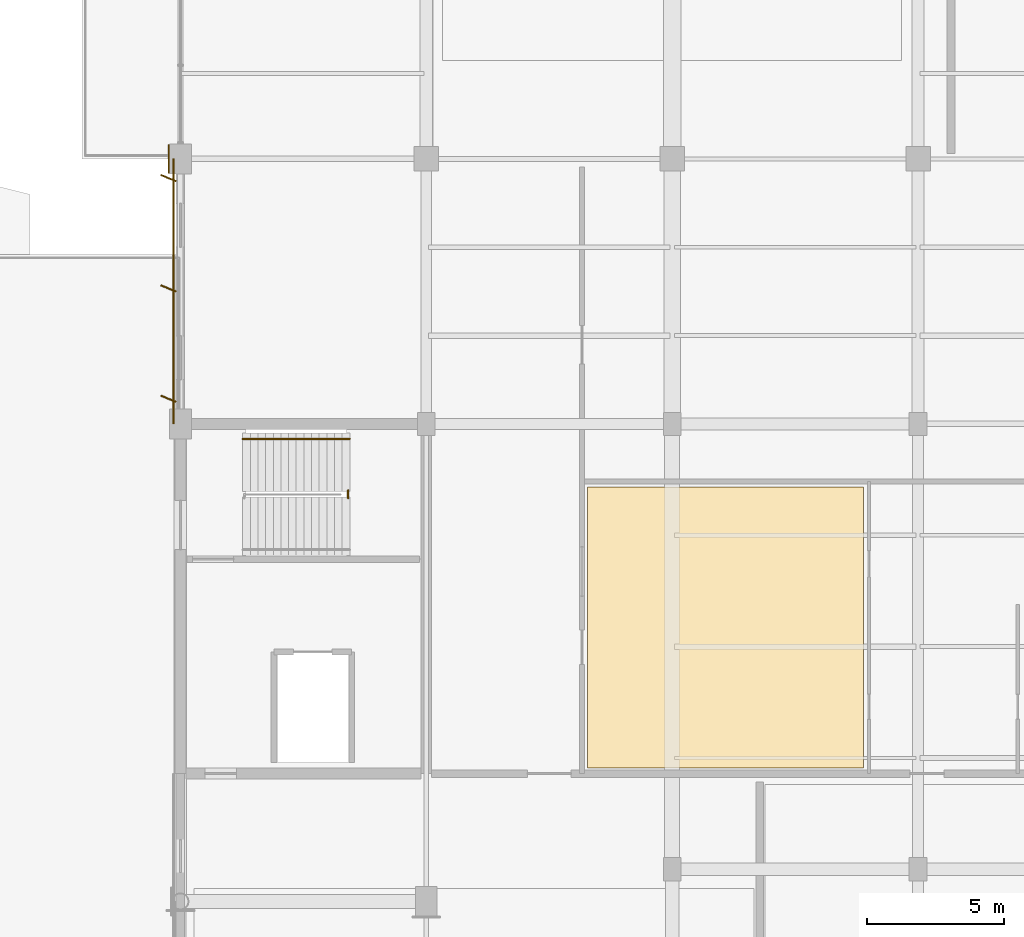
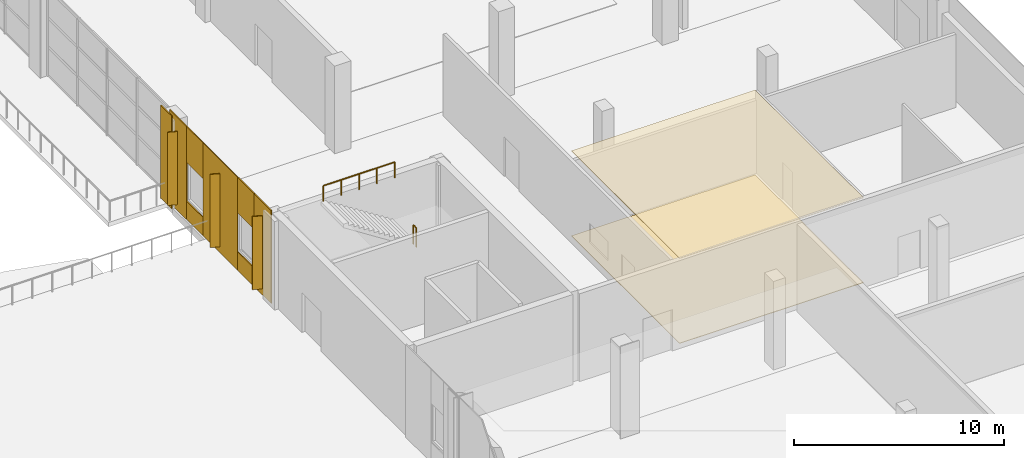
# One storey, part 85 of 90: 13 coverings, 2 railings.
"""IFC4 building model written with IfcOpenShell, lengths in metres."""

from ifc_helpers import new_model, si_unit, direction, frame, origin, origin_2d, place, context, subcontext, project, spatial, polyline, rectangle, circle, outline, extrude, material, layer, layer_set, type_object, element, save


model = new_model("IFC4")

# Units and contexts
model_context = context("Model", 3, precision=1e-05, world=origin(), true_north=direction((0.0, 1.0)))
body_context = subcontext(model_context, "Body", "Model", "MODEL_VIEW")
ifc_project = project(units=[si_unit("LENGTHUNIT", "METRE"), si_unit("AREAUNIT", "SQUARE_METRE"), si_unit("VOLUMEUNIT", "CUBIC_METRE"), si_unit("PLANEANGLEUNIT", "RADIAN"), si_unit("MASSUNIT", "GRAM", prefix="KILO")], contexts=[model_context])

# Site, building, storey
site_placement = place(None, origin())
site = spatial("IfcSite", under=ifc_project, at=site_placement, CompositionType="ELEMENT")
building_placement = place(site_placement, origin())
building = spatial("IfcBuilding", under=site, at=building_placement, Name="Solvikara Media Centre", CompositionType="ELEMENT")
storey_placement = place(building_placement, origin())
storey = spatial("IfcBuildingStorey", under=building, at=storey_placement, Name="L00", CompositionType="ELEMENT", Elevation=0.0)

# Coverings
ifc_material_1 = material(Name="Perforated acoustic gypsum ceiling board")
ifc_layer_1 = layer(ifc_material_1, 0.0400390625)
ifc_layer_set_1 = layer_set([ifc_layer_1], Name="Perforated acoustic gypsum ceiling board")
covering_type_1 = type_object("IfcCoveringType", Name="CV-01", PredefinedType="CEILING", material=ifc_layer_set_1)
covering_1_placement = place(storey_placement, frame((0.0, 0.0, 4.929931640625)))
element("IfcCovering", 1, at=covering_1_placement, inside=storey, type_object=covering_type_1, Name="CLG-013", PredefinedType="CEILING", context=body_context, shape_type="SweptSolid", body=[
    extrude(outline(polyline([(142.39990234375, 24.199951171875), (152.5, 24.199951171875), (152.5, 34.5), (142.39990234375, 34.5), (142.39990234375, 24.199951171875)])), origin(), (0.0, 0.0, 1.0), 0.0400390625),
])
ifc_material_2 = material(Name="Polished terrazzo floor finish")
ifc_layer_2 = layer(ifc_material_2, 0.030029296875)
ifc_layer_set_2 = layer_set([ifc_layer_2], Name="Polished terrazzo floor finish")
covering_type_2 = type_object("IfcCoveringType", Name="CV-02", PredefinedType="FLOORING", material=ifc_layer_set_2)
covering_2_placement = place(storey_placement, origin())
element("IfcCovering", 2, at=covering_2_placement, inside=storey, type_object=covering_type_2, Name="FLR-013", PredefinedType="FLOORING", context=body_context, shape_type="SweptSolid", body=[
    extrude(outline(polyline([(142.39990234375, 24.199951171875), (152.5, 24.199951171875), (152.5, 34.5), (142.39990234375, 34.5), (142.39990234375, 24.199951171875)])), origin(), (0.0, 0.0, 1.0), 0.030029296875),
])
ifc_material_3 = material(Name="GFRC white mineral architectural rainscreen panel")
ifc_layer_3 = layer(ifc_material_3, 0.050048828125)
ifc_layer_set_3 = layer_set([ifc_layer_3], Name="GFRC white mineral architectural rainscreen panel")
covering_type_3 = type_object("IfcCoveringType", Name="CV-04", PredefinedType="CLADDING", material=ifc_layer_set_3)
covering_3_placement = place(storey_placement, frame((127.074951171875, 46.5, 0.0), z_axis=(0.0, 0.0, 1.0), x_axis=(0.0, -1.0, 0.0)))
element("IfcCovering", 3, at=covering_3_placement, inside=storey, type_object=covering_type_3, Name="PIL-L00-194", PredefinedType="CLADDING", context=body_context, shape_type="SweptSolid", body=[
    extrude(rectangle(XDim=1.0400390625, YDim=0.050048828125, at=origin_2d()), origin(), (0.0, 0.0, 1.0), 5.39990234375),
])
covering_4_placement = place(storey_placement, frame((127.2548828125, 37.612060546875, 0.0), z_axis=(0.0, 0.0, 1.0), x_axis=(0.0, 1.0, 0.0)))
element("IfcCovering", 4, at=covering_4_placement, inside=storey, type_object=covering_type_3, Name="L00-V5WN-CV-F01", PredefinedType="CLADDING", context=body_context, shape_type="SweptSolid", body=[
    extrude(rectangle(XDim=1.625, YDim=0.050048828125, at=origin_2d()), origin(), (0.0, 0.0, 1.0), 5.39990234375),
])
covering_5_placement = place(storey_placement, frame((127.06494140625, 37.721923828125, 0.35009765625), z_axis=(0.0, 0.0, 1.0), x_axis=(-0.930749810713, 0.3656566557, 0.0)))
element("IfcCovering", 5, at=covering_5_placement, inside=storey, type_object=covering_type_3, Name="L00-V5WN-FIN-01", PredefinedType="CLADDING", context=body_context, shape_type="SweptSolid", body=[
    extrude(rectangle(XDim=0.60205078125, YDim=0.050048828125, at=origin_2d()), origin(), (0.0, 0.0, 1.0), 4.248046875),
])
covering_6_placement = place(storey_placement, frame((127.2548828125, 39.22509765625, 0.0), z_axis=(0.0, 0.0, 1.0), x_axis=(0.0, 1.0, 0.0)))
element("IfcCovering", 6, at=covering_6_placement, inside=storey, type_object=covering_type_3, Name="L00-V5WN-CV-S02", PredefinedType="CLADDING", context=body_context, shape_type="SweptSolid", body=[
    extrude(rectangle(XDim=1.60009765625, YDim=0.050048828125, at=origin_2d()), origin(), (0.0, 0.0, 1.0), 1.070068359375),
])
covering_7_placement = place(storey_placement, frame((127.2548828125, 39.22509765625, 3.330078125), z_axis=(0.0, 0.0, 1.0), x_axis=(0.0, 1.0, 0.0)))
element("IfcCovering", 7, at=covering_7_placement, inside=storey, type_object=covering_type_3, Name="L00-V5WN-CV-H02", PredefinedType="CLADDING", context=body_context, shape_type="SweptSolid", body=[
    extrude(rectangle(XDim=1.60009765625, YDim=0.050048828125, at=origin_2d()), origin(), (0.0, 0.0, 1.0), 2.070068359375),
])
covering_8_placement = place(storey_placement, frame((127.2548828125, 41.64990234375, 0.0), z_axis=(0.0, 0.0, 1.0), x_axis=(0.0, 1.0, 0.0)))
element("IfcCovering", 8, at=covering_8_placement, inside=storey, type_object=covering_type_3, Name="L00-V5WN-CV-F03", PredefinedType="CLADDING", context=body_context, shape_type="SweptSolid", body=[
    extrude(rectangle(XDim=3.25, YDim=0.050048828125, at=origin_2d()), origin(), (0.0, 0.0, 1.0), 5.39990234375),
])
covering_9_placement = place(storey_placement, frame((127.06494140625, 41.760009765625, 0.35009765625), z_axis=(0.0, 0.0, 1.0), x_axis=(-0.930749810713, 0.3656566557, 0.0)))
element("IfcCovering", 9, at=covering_9_placement, inside=storey, type_object=covering_type_3, Name="L00-V5WN-FIN-03", PredefinedType="CLADDING", context=body_context, shape_type="SweptSolid", body=[
    extrude(rectangle(XDim=0.60205078125, YDim=0.050048828125, at=origin_2d()), origin(), (0.0, 0.0, 1.0), 4.248046875),
])
covering_10_placement = place(storey_placement, frame((127.2548828125, 44.074951171875, 0.0), z_axis=(0.0, 0.0, 1.0), x_axis=(0.0, 1.0, 0.0)))
element("IfcCovering", 10, at=covering_10_placement, inside=storey, type_object=covering_type_3, Name="L00-V5WN-CV-S04", PredefinedType="CLADDING", context=body_context, shape_type="SweptSolid", body=[
    extrude(rectangle(XDim=1.60009765625, YDim=0.050048828125, at=origin_2d()), origin(), (0.0, 0.0, 1.0), 1.070068359375),
])
covering_11_placement = place(storey_placement, frame((127.2548828125, 44.074951171875, 3.330078125), z_axis=(0.0, 0.0, 1.0), x_axis=(0.0, 1.0, 0.0)))
element("IfcCovering", 11, at=covering_11_placement, inside=storey, type_object=covering_type_3, Name="L00-V5WN-CV-H04", PredefinedType="CLADDING", context=body_context, shape_type="SweptSolid", body=[
    extrude(rectangle(XDim=1.60009765625, YDim=0.050048828125, at=origin_2d()), origin(), (0.0, 0.0, 1.0), 2.070068359375),
])
covering_12_placement = place(storey_placement, frame((127.2548828125, 45.68798828125, 0.0), z_axis=(0.0, 0.0, 1.0), x_axis=(0.0, 1.0, 0.0)))
element("IfcCovering", 12, at=covering_12_placement, inside=storey, type_object=covering_type_3, Name="L00-V5WN-CV-F05", PredefinedType="CLADDING", context=body_context, shape_type="SweptSolid", body=[
    extrude(rectangle(XDim=1.625, YDim=0.050048828125, at=origin_2d()), origin(), (0.0, 0.0, 1.0), 5.39990234375),
])
covering_13_placement = place(storey_placement, frame((127.06494140625, 45.798095703125, 0.35009765625), z_axis=(0.0, 0.0, 1.0), x_axis=(-0.930749810713, 0.3656566557, 0.0)))
element("IfcCovering", 13, at=covering_13_placement, inside=storey, type_object=covering_type_3, Name="L00-V5WN-FIN-05", PredefinedType="CLADDING", context=body_context, shape_type="SweptSolid", body=[
    extrude(rectangle(XDim=0.60205078125, YDim=0.050048828125, at=origin_2d()), origin(), (0.0, 0.0, 1.0), 4.248046875),
])

# Railings
ifc_material_4 = material(Name="Steel S355JR", Category="steel")
railing_type_1 = type_object("IfcRailingType", Name="GR-02", PredefinedType="BALUSTRADE", material=ifc_material_4)
railing_1_placement = place(storey_placement, frame((133.639892578125, 34.080078125, 2.699951171875)))
element("IfcRailing", 14, at=railing_1_placement, inside=storey, type_object=railing_type_1, Name="GR-C4-L00-M", PredefinedType="BALUSTRADE", context=body_context, shape_type="SweptSolid", body=[
    extrude(circle(Radius=0.02392578125, at=origin_2d()), frame((0.0, 0.0, 1.09619140625), z_axis=(0.0, 1.0, 0.0), x_axis=(-1.0, 0.0, 0.0)), (0.0, 0.0, 1.0), 0.2900390625),
    extrude(circle(Radius=0.02099609375, at=origin_2d()), origin(), (0.0, 0.0, 1.0), 1.072021484375),
    extrude(circle(Radius=0.02099609375, at=origin_2d()), frame((0.0, 0.2900390625, 0.0)), (0.0, 0.0, 1.0), 1.072021484375),
])
railing_type_2 = type_object("IfcRailingType", Name="HR-01", PredefinedType="HANDRAIL", material=ifc_material_4)
railing_2_placement = place(storey_placement, frame((133.699951171875, 36.25, 5.39990234375)))
element("IfcRailing", 15, at=railing_2_placement, inside=storey, type_object=railing_type_2, Name="HR-C4-L00-2", PredefinedType="HANDRAIL", context=body_context, shape_type="SweptSolid", body=[
    extrude(circle(Radius=0.02392578125, at=origin_2d()), frame((0.0, 0.0, 0.89599609375), z_axis=(-1.0, 0.0, 0.0), x_axis=(0.0, -1.0, 0.0)), (0.0, 0.0, 1.0), 3.919921875),
    extrude(circle(Radius=0.02099609375, at=origin_2d()), origin(), (0.0, 0.0, 1.0), 0.871826171875),
    extrude(circle(Radius=0.02099609375, at=origin_2d()), frame((-0.97998046875, 0.0, 0.0)), (0.0, 0.0, 1.0), 0.871826171875),
    extrude(circle(Radius=0.02099609375, at=origin_2d()), frame((-1.9599609375, 0.0, 0.0)), (0.0, 0.0, 1.0), 0.871826171875),
    extrude(circle(Radius=0.02099609375, at=origin_2d()), frame((-2.93994140625, 0.0, 0.0)), (0.0, 0.0, 1.0), 0.871826171875),
    extrude(circle(Radius=0.02099609375, at=origin_2d()), frame((-3.919921875, 0.0, 0.0)), (0.0, 0.0, 1.0), 0.871826171875),
])

save(model, "model.ifc")
